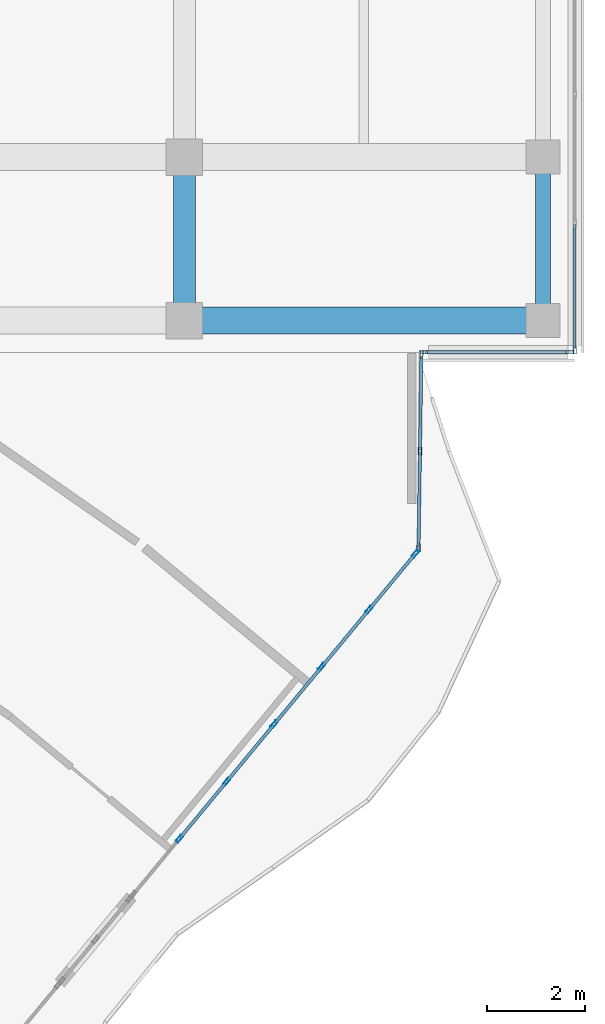
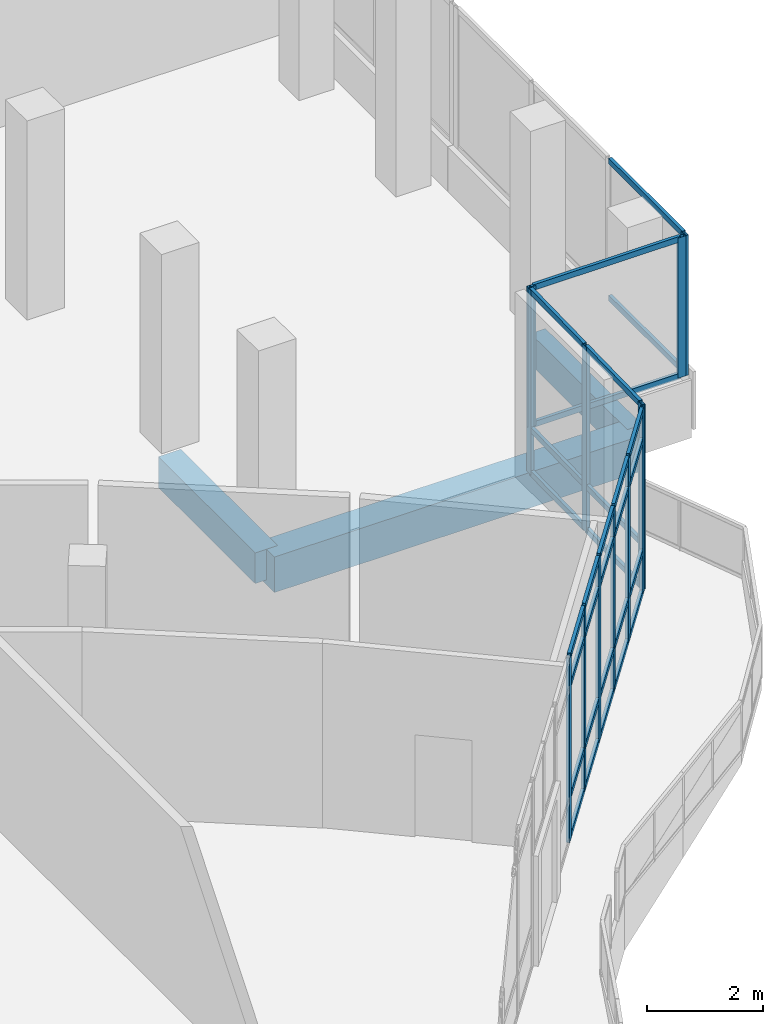
# One storey, part 128 of 184: 42 members, 3 beams, 4 elements without a shape of their own.
"""IFC4 building model written with IfcOpenShell, lengths in metres."""

from ifc_helpers import new_model, si_unit, direction, frame, origin, origin_2d, place, context, subcontext, project, spatial, rectangle, hollow_rectangle, extrude, material, material_profile, profile_set, type_object, element, aggregate, save


model = new_model("IFC4")

# Units and contexts
model_context = context("Model", 3, precision=1e-05, world=origin(), true_north=direction((0.0, 1.0)))
body_context = subcontext(model_context, "Body", "Model", "MODEL_VIEW")
ifc_project = project(units=[si_unit("LENGTHUNIT", "METRE"), si_unit("AREAUNIT", "SQUARE_METRE"), si_unit("VOLUMEUNIT", "CUBIC_METRE"), si_unit("PLANEANGLEUNIT", "RADIAN"), si_unit("MASSUNIT", "GRAM", prefix="KILO")], contexts=[model_context])

# Site, building, storey
site_placement = place(None, origin())
site = spatial("IfcSite", under=ifc_project, at=site_placement, CompositionType="ELEMENT")
building_placement = place(site_placement, origin())
building = spatial("IfcBuilding", under=site, at=building_placement, Name="Selatvlak General Hospital", CompositionType="ELEMENT")
storey_placement = place(building_placement, frame((0.0, 0.0, 15.0)))
storey = spatial("IfcBuildingStorey", under=building, at=storey_placement, Name="L03", CompositionType="ELEMENT", Elevation=15.0)

# Beams
ifc_material_1 = material(Name="Concrete C40/50", Category="concrete")
ifc_material_profile_1 = material_profile(ifc_material_1, rectangle(XDim=0.550048828125, YDim=0.75, at=origin_2d()), Name="RC-BM 550x750")
ifc_profile_set_1 = profile_set([ifc_material_profile_1], Name="Concrete C40/50")
beam_type_1 = type_object("IfcBeamType", Name="BM-G02", PredefinedType="BEAM", material=ifc_profile_set_1)
beam_1_placement = place(storey_placement, frame((174.0, 64.64990234375, -0.715087890625), z_axis=(1.0, 0.0, 0.0), x_axis=(0.0, 1.0, 0.0)))
element("IfcBeam", 1, at=beam_1_placement, inside=storey, type_object=beam_type_1, Name="Beam BMR-L03-1156", PredefinedType="BEAM", context=body_context, shape_type="SweptSolid", body=[
    extrude(rectangle(XDim=0.550048828125, YDim=0.75, at=origin_2d()), origin(), (0.0, 0.0, 1.0), 7.35009765625),
])
ifc_material_profile_2 = material_profile(ifc_material_1, rectangle(XDim=0.449951171875, YDim=0.64990234375, at=origin_2d()), Name="RC-BM 450x650")
ifc_profile_set_2 = profile_set([ifc_material_profile_2], Name="Concrete C40/50")
beam_type_2 = type_object("IfcBeamType", Name="BM-G04", PredefinedType="BEAM", material=ifc_profile_set_2)
beam_2_placement = place(storey_placement, frame((174.0, 64.64990234375, -0.6650390625), z_axis=(0.0, 1.0, 0.0), x_axis=(-1.0, 0.0, 0.0)))
element("IfcBeam", 2, at=beam_2_placement, inside=storey, type_object=beam_type_2, Name="Beam BMR-L03-1409", PredefinedType="BEAM", context=body_context, shape_type="SweptSolid", body=[
    extrude(rectangle(XDim=0.449951171875, YDim=0.64990234375, at=origin_2d()), origin(), (0.0, 0.0, 1.0), 3.35009765625),
])
ifc_material_profile_3 = material_profile(ifc_material_1, rectangle(XDim=0.300048828125, YDim=0.64990234375, at=origin_2d()), Name="RC-SP 300x650")
ifc_profile_set_3 = profile_set([ifc_material_profile_3], Name="Concrete C40/50")
beam_type_3 = type_object("IfcBeamType", Name="BM-SP1", PredefinedType="SPANDREL", material=ifc_profile_set_3)
beam_3_placement = place(storey_placement, frame((181.35009765625, 64.64990234375, -0.6650390625), z_axis=(0.0, 1.0, 0.0), x_axis=(-1.0, 0.0, 0.0)))
element("IfcBeam", 3, at=beam_3_placement, inside=storey, type_object=beam_type_3, Name="Beam BMR-L03-1419", PredefinedType="SPANDREL", context=body_context, shape_type="SweptSolid", body=[
    extrude(rectangle(XDim=0.300048828125, YDim=0.64990234375, at=origin_2d()), origin(), (0.0, 0.0, 1.0), 3.35009765625),
])

# Curtain wall, member
ifc_material_2 = material(Name="Solar-control Low-E double glazing", Category="glass")
curtain_wall_type_1 = type_object("IfcCurtainWallType", Name="CW-CW-01", PredefinedType="USERDEFINED", material=ifc_material_2)
curtain_wall_1_placement = place(storey_placement, origin())
curtain_wall_1 = element("IfcCurtainWall", 4, at=curtain_wall_1_placement, inside=storey, type_object=curtain_wall_type_1, Name="Glazed facade curtain wall CW-L03-0390", ObjectType="UNITISED CURTAIN WALL", PredefinedType="USERDEFINED")
ifc_material_3 = material(Name="Dark anodised aluminium mullion", Category="aluminium")
ifc_material_profile_4 = material_profile(ifc_material_3, hollow_rectangle(XDim=0.06494140625, YDim=0.159912109375, WallThickness=0.00390625, at=origin_2d()), Name="AL-MUL 65x160x4")
ifc_profile_set_4 = profile_set([ifc_material_profile_4], Name="Dark anodised aluminium mullion")
member_type_1 = type_object("IfcMemberType", Name="CWM-01", PredefinedType="MULLION", material=ifc_profile_set_4)
member_1_placement = place(storey_placement, frame((182.0, 64.048583984375, 0.93994140625), z_axis=(0.0, 0.0, 1.0), x_axis=(1.0, 0.0, 0.0)))
member_1 = element("IfcMember", 5, at=member_1_placement, type_object=member_type_1, Name="CW-01 mullion 4", PredefinedType="MULLION", context=body_context, shape_type="SweptSolid", body=[
    extrude(hollow_rectangle(XDim=0.06494140625, YDim=0.159912109375, WallThickness=0.00390625, at=origin_2d()), origin(), (0.0, 0.0, 1.0), 2.955078125),
])

# Curtain wall, members
curtain_wall_type_2 = type_object("IfcCurtainWallType", Name="CW-CW-03", PredefinedType="USERDEFINED", material=ifc_material_2)
curtain_wall_2_placement = place(storey_placement, origin())
curtain_wall_2 = element("IfcCurtainWall", 6, at=curtain_wall_2_placement, inside=storey, type_object=curtain_wall_type_2, Name="Glazed facade curtain wall CW-L03-0391", ObjectType="UNITISED CURTAIN WALL", PredefinedType="USERDEFINED")
member_2_placement = place(storey_placement, frame((181.902587890625, 64.0009765625, 0.93994140625), z_axis=(0.0, 0.0, 1.0), x_axis=(0.000326797363, -0.999999946602, 0.0)))
member_2 = element("IfcMember", 7, at=member_2_placement, type_object=member_type_1, Name="CW-03 mullion 1", PredefinedType="MULLION", context=body_context, shape_type="SweptSolid", body=[
    extrude(hollow_rectangle(XDim=0.06494140625, YDim=0.159912109375, WallThickness=0.00390625, at=origin_2d()), origin(), (0.0, 0.0, 1.0), 2.955078125),
])
member_3_placement = place(storey_placement, frame((178.907470703125, 64.0, 0.93994140625), z_axis=(0.0, 0.0, 1.0), x_axis=(0.000326797363, -0.999999946602, 0.0)))
member_3 = element("IfcMember", 8, at=member_3_placement, type_object=member_type_1, Name="CW-03 mullion 2", PredefinedType="MULLION", context=body_context, shape_type="SweptSolid", body=[
    extrude(hollow_rectangle(XDim=0.06494140625, YDim=0.159912109375, WallThickness=0.00390625, at=origin_2d()), origin(), (0.0, 0.0, 1.0), 2.955078125),
])

curtain_wall_type_3 = type_object("IfcCurtainWallType", Name="CW-CW-02", PredefinedType="USERDEFINED", material=ifc_material_2)
curtain_wall_3_placement = place(storey_placement, origin())
curtain_wall_3 = element("IfcCurtainWall", 9, at=curtain_wall_3_placement, inside=storey, type_object=curtain_wall_type_3, Name="Glazed facade curtain wall CW-L03-0392", ObjectType="UNITISED CURTAIN WALL", PredefinedType="USERDEFINED")
member_4_placement = place(storey_placement, frame((178.859619140625, 63.952392578125, 0.0), z_axis=(0.0, 0.0, 1.0), x_axis=(0.999888635224, -0.014923710969, 0.0)))
member_4 = element("IfcMember", 10, at=member_4_placement, type_object=member_type_1, Name="CW-02 mullion 1", PredefinedType="MULLION", context=body_context, shape_type="SweptSolid", body=[
    extrude(hollow_rectangle(XDim=0.06494140625, YDim=0.159912109375, WallThickness=0.00390625, at=origin_2d()), origin(), (0.0, 0.0, 1.0), 3.89501953125),
])
member_5_placement = place(storey_placement, frame((178.830078125, 61.97509765625, 0.0), z_axis=(0.0, 0.0, 1.0), x_axis=(0.999888635224, -0.014923710969, 0.0)))
member_5 = element("IfcMember", 11, at=member_5_placement, type_object=member_type_1, Name="CW-02 mullion 2", PredefinedType="MULLION", context=body_context, shape_type="SweptSolid", body=[
    extrude(hollow_rectangle(XDim=0.06494140625, YDim=0.159912109375, WallThickness=0.00390625, at=origin_2d()), origin(), (0.0, 0.0, 1.0), 3.89501953125),
])
member_6_placement = place(storey_placement, frame((178.800537109375, 59.99755859375, 0.0), z_axis=(0.0, 0.0, 1.0), x_axis=(0.999888635224, -0.014923710969, 0.0)))
member_6 = element("IfcMember", 12, at=member_6_placement, type_object=member_type_1, Name="CW-02 mullion 3", PredefinedType="MULLION", context=body_context, shape_type="SweptSolid", body=[
    extrude(hollow_rectangle(XDim=0.06494140625, YDim=0.159912109375, WallThickness=0.00390625, at=origin_2d()), origin(), (0.0, 0.0, 1.0), 3.89501953125),
])

curtain_wall_4_placement = place(storey_placement, origin())
curtain_wall_4 = element("IfcCurtainWall", 13, at=curtain_wall_4_placement, inside=storey, type_object=curtain_wall_type_1, Name="Glazed facade curtain wall CW-L03-0394", ObjectType="UNITISED CURTAIN WALL", PredefinedType="USERDEFINED")
member_7_placement = place(storey_placement, frame((178.7373046875, 59.8740234375, 0.0), z_axis=(0.0, 0.0, 1.0), x_axis=(0.770251713592, -0.637739992245, 0.0)))
member_7 = element("IfcMember", 14, at=member_7_placement, type_object=member_type_1, Name="CW-01 mullion 1", PredefinedType="MULLION", context=body_context, shape_type="SweptSolid", body=[
    extrude(hollow_rectangle(XDim=0.06494140625, YDim=0.159912109375, WallThickness=0.00390625, at=origin_2d()), origin(), (0.0, 0.0, 1.0), 3.89501953125),
])
member_8_placement = place(storey_placement, frame((177.785888671875, 58.724853515625, 0.0), z_axis=(0.0, 0.0, 1.0), x_axis=(0.770251713592, -0.637739992245, 0.0)))
member_8 = element("IfcMember", 15, at=member_8_placement, type_object=member_type_1, Name="CW-01 mullion 2", PredefinedType="MULLION", context=body_context, shape_type="SweptSolid", body=[
    extrude(hollow_rectangle(XDim=0.06494140625, YDim=0.159912109375, WallThickness=0.00390625, at=origin_2d()), origin(), (0.0, 0.0, 1.0), 3.89501953125),
])
member_9_placement = place(storey_placement, frame((176.813720703125, 57.55078125, 0.0), z_axis=(0.0, 0.0, 1.0), x_axis=(0.770251713592, -0.637739992245, 0.0)))
member_9 = element("IfcMember", 16, at=member_9_placement, type_object=member_type_1, Name="CW-01 mullion 3", PredefinedType="MULLION", context=body_context, shape_type="SweptSolid", body=[
    extrude(hollow_rectangle(XDim=0.06494140625, YDim=0.159912109375, WallThickness=0.00390625, at=origin_2d()), origin(), (0.0, 0.0, 1.0), 3.89501953125),
])
member_10_placement = place(storey_placement, frame((175.841552734375, 56.37646484375, 0.0), z_axis=(0.0, 0.0, 1.0), x_axis=(0.770251713592, -0.637739992245, 0.0)))
member_10 = element("IfcMember", 17, at=member_10_placement, type_object=member_type_1, Name="CW-01 mullion 4", PredefinedType="MULLION", context=body_context, shape_type="SweptSolid", body=[
    extrude(hollow_rectangle(XDim=0.06494140625, YDim=0.159912109375, WallThickness=0.00390625, at=origin_2d()), origin(), (0.0, 0.0, 1.0), 3.89501953125),
])
member_11_placement = place(storey_placement, frame((174.869384765625, 55.202392578125, 0.0), z_axis=(0.0, 0.0, 1.0), x_axis=(0.770251713592, -0.637739992245, 0.0)))
member_11 = element("IfcMember", 18, at=member_11_placement, type_object=member_type_1, Name="CW-01 mullion 5", PredefinedType="MULLION", context=body_context, shape_type="SweptSolid", body=[
    extrude(hollow_rectangle(XDim=0.06494140625, YDim=0.159912109375, WallThickness=0.00390625, at=origin_2d()), origin(), (0.0, 0.0, 1.0), 3.89501953125),
])
member_12_placement = place(storey_placement, frame((173.897216796875, 54.028076171875, 0.0), z_axis=(0.0, 0.0, 1.0), x_axis=(0.770251713592, -0.637739992245, 0.0)))
member_12 = element("IfcMember", 19, at=member_12_placement, type_object=member_type_1, Name="CW-01 mullion 6", PredefinedType="MULLION", context=body_context, shape_type="SweptSolid", body=[
    extrude(hollow_rectangle(XDim=0.06494140625, YDim=0.159912109375, WallThickness=0.00390625, at=origin_2d()), origin(), (0.0, 0.0, 1.0), 3.89501953125),
])

# Member
ifc_material_profile_5 = material_profile(ifc_material_3, hollow_rectangle(XDim=0.06494140625, YDim=0.1201171875, WallThickness=0.00390625, at=origin_2d()), Name="AL-TRN 65x120x4")
ifc_profile_set_5 = profile_set([ifc_material_profile_5], Name="Dark anodised aluminium mullion")
member_type_2 = type_object("IfcMemberType", Name="CWT-01", PredefinedType="USERDEFINED", material=ifc_profile_set_5)
member_13_placement = place(storey_placement, frame((182.0, 66.62353515625, 0.972412109375), z_axis=(0.0, -1.0, 0.0), x_axis=(1.0, 0.0, 0.0)))
member_13 = element("IfcMember", 20, at=member_13_placement, type_object=member_type_2, Name="CW-01 transom 3.1", ObjectType="TRANSOM", PredefinedType="USERDEFINED", context=body_context, shape_type="SweptSolid", body=[
    extrude(hollow_rectangle(XDim=0.06494140625, YDim=0.1201171875, WallThickness=0.00390625, at=origin_2d()), origin(), (0.0, 0.0, 1.0), 2.54248046875),
])

member_14_placement = place(storey_placement, frame((182.0, 66.62353515625, 3.862548828125), z_axis=(0.0, -1.0, 0.0), x_axis=(1.0, 0.0, 0.0)))
member_14 = element("IfcMember", 21, at=member_14_placement, type_object=member_type_2, Name="CW-01 transom 3.2", ObjectType="TRANSOM", PredefinedType="USERDEFINED", context=body_context, shape_type="SweptSolid", body=[
    extrude(hollow_rectangle(XDim=0.06494140625, YDim=0.1201171875, WallThickness=0.00390625, at=origin_2d()), origin(), (0.0, 0.0, 1.0), 2.54248046875),
])

aggregate(curtain_wall_1, [member_1, member_13, member_14])

member_15_placement = place(storey_placement, frame((181.8701171875, 64.0009765625, 0.972412109375), z_axis=(-0.999999944463, -0.000333277769, 0.0), x_axis=(0.000333277769, -0.999999944463, 0.0)))
member_15 = element("IfcMember", 22, at=member_15_placement, type_object=member_type_2, Name="CW-03 transom 1.1", ObjectType="TRANSOM", PredefinedType="USERDEFINED", context=body_context, shape_type="SweptSolid", body=[
    extrude(hollow_rectangle(XDim=0.06494140625, YDim=0.1201171875, WallThickness=0.00390625, at=origin_2d()), origin(), (0.0, 0.0, 1.0), 2.93017578125),
])

member_16_placement = place(storey_placement, frame((181.8701171875, 64.0009765625, 3.862548828125), z_axis=(-0.999999944463, -0.000333277769, 0.0), x_axis=(0.000333277769, -0.999999944463, 0.0)))
member_16 = element("IfcMember", 23, at=member_16_placement, type_object=member_type_2, Name="CW-03 transom 1.2", ObjectType="TRANSOM", PredefinedType="USERDEFINED", context=body_context, shape_type="SweptSolid", body=[
    extrude(hollow_rectangle(XDim=0.06494140625, YDim=0.1201171875, WallThickness=0.00390625, at=origin_2d()), origin(), (0.0, 0.0, 1.0), 2.93017578125),
])

aggregate(curtain_wall_2, [member_2, member_3, member_15, member_16])

member_17_placement = place(storey_placement, frame((178.859130859375, 63.919921875, 0.032470703125), z_axis=(-0.014935139839, -0.999888464579, 0.0), x_axis=(0.999888464579, -0.014935139839, 0.0)))
member_17 = element("IfcMember", 24, at=member_17_placement, type_object=member_type_2, Name="CW-02 transom 1.1", ObjectType="TRANSOM", PredefinedType="USERDEFINED", context=body_context, shape_type="SweptSolid", body=[
    extrude(hollow_rectangle(XDim=0.06494140625, YDim=0.1201171875, WallThickness=0.00390625, at=origin_2d()), origin(), (0.0, 0.0, 1.0), 1.91259765625),
])

member_18_placement = place(storey_placement, frame((178.859130859375, 63.919921875, 0.949951171875), z_axis=(-0.014935139839, -0.999888464579, 0.0), x_axis=(0.999888464579, -0.014935139839, 0.0)))
member_18 = element("IfcMember", 25, at=member_18_placement, type_object=member_type_2, Name="CW-02 transom 1.2", ObjectType="TRANSOM", PredefinedType="USERDEFINED", context=body_context, shape_type="SweptSolid", body=[
    extrude(hollow_rectangle(XDim=0.06494140625, YDim=0.1201171875, WallThickness=0.00390625, at=origin_2d()), origin(), (0.0, 0.0, 1.0), 1.91259765625),
])

member_19_placement = place(storey_placement, frame((178.859130859375, 63.919921875, 3.862548828125), z_axis=(-0.014935139839, -0.999888464579, 0.0), x_axis=(0.999888464579, -0.014935139839, 0.0)))
member_19 = element("IfcMember", 26, at=member_19_placement, type_object=member_type_2, Name="CW-02 transom 1.3", ObjectType="TRANSOM", PredefinedType="USERDEFINED", context=body_context, shape_type="SweptSolid", body=[
    extrude(hollow_rectangle(XDim=0.06494140625, YDim=0.1201171875, WallThickness=0.00390625, at=origin_2d()), origin(), (0.0, 0.0, 1.0), 1.91259765625),
])

member_20_placement = place(storey_placement, frame((178.82958984375, 61.9423828125, 0.032470703125), z_axis=(-0.014935139839, -0.999888464579, 0.0), x_axis=(0.999888464579, -0.014935139839, 0.0)))
member_20 = element("IfcMember", 27, at=member_20_placement, type_object=member_type_2, Name="CW-02 transom 2.1", ObjectType="TRANSOM", PredefinedType="USERDEFINED", context=body_context, shape_type="SweptSolid", body=[
    extrude(hollow_rectangle(XDim=0.06494140625, YDim=0.1201171875, WallThickness=0.00390625, at=origin_2d()), origin(), (0.0, 0.0, 1.0), 1.91259765625),
])

member_21_placement = place(storey_placement, frame((178.82958984375, 61.9423828125, 0.949951171875), z_axis=(-0.014935139839, -0.999888464579, 0.0), x_axis=(0.999888464579, -0.014935139839, 0.0)))
member_21 = element("IfcMember", 28, at=member_21_placement, type_object=member_type_2, Name="CW-02 transom 2.2", ObjectType="TRANSOM", PredefinedType="USERDEFINED", context=body_context, shape_type="SweptSolid", body=[
    extrude(hollow_rectangle(XDim=0.06494140625, YDim=0.1201171875, WallThickness=0.00390625, at=origin_2d()), origin(), (0.0, 0.0, 1.0), 1.91259765625),
])

member_22_placement = place(storey_placement, frame((178.82958984375, 61.9423828125, 3.862548828125), z_axis=(-0.014935139839, -0.999888464579, 0.0), x_axis=(0.999888464579, -0.014935139839, 0.0)))
member_22 = element("IfcMember", 29, at=member_22_placement, type_object=member_type_2, Name="CW-02 transom 2.3", ObjectType="TRANSOM", PredefinedType="USERDEFINED", context=body_context, shape_type="SweptSolid", body=[
    extrude(hollow_rectangle(XDim=0.06494140625, YDim=0.1201171875, WallThickness=0.00390625, at=origin_2d()), origin(), (0.0, 0.0, 1.0), 1.91259765625),
])

aggregate(curtain_wall_3, [member_4, member_5, member_6, member_17, member_18, member_19, member_20, member_21, member_22])

member_23_placement = place(storey_placement, frame((178.716552734375, 59.848876953125, 0.032470703125), z_axis=(-0.637690265355, -0.770292882916, 0.0), x_axis=(0.770292882916, -0.637690265355, 0.0)))
member_23 = element("IfcMember", 30, at=member_23_placement, type_object=member_type_2, Name="CW-01 transom 1.1", ObjectType="TRANSOM", PredefinedType="USERDEFINED", context=body_context, shape_type="SweptSolid", body=[
    extrude(hollow_rectangle(XDim=0.06494140625, YDim=0.1201171875, WallThickness=0.00390625, at=origin_2d()), origin(), (0.0, 0.0, 1.0), 1.427001953125),
])

member_24_placement = place(storey_placement, frame((178.716552734375, 59.848876953125, 0.89990234375), z_axis=(-0.637690265355, -0.770292882916, 0.0), x_axis=(0.770292882916, -0.637690265355, 0.0)))
member_24 = element("IfcMember", 31, at=member_24_placement, type_object=member_type_2, Name="CW-01 transom 1.2", ObjectType="TRANSOM", PredefinedType="USERDEFINED", context=body_context, shape_type="SweptSolid", body=[
    extrude(hollow_rectangle(XDim=0.06494140625, YDim=0.1201171875, WallThickness=0.00390625, at=origin_2d()), origin(), (0.0, 0.0, 1.0), 1.427001953125),
])

member_25_placement = place(storey_placement, frame((178.716552734375, 59.848876953125, 3.2451171875), z_axis=(-0.637690265355, -0.770292882916, 0.0), x_axis=(0.770292882916, -0.637690265355, 0.0)))
member_25 = element("IfcMember", 32, at=member_25_placement, type_object=member_type_2, Name="CW-01 transom 1.3", ObjectType="TRANSOM", PredefinedType="USERDEFINED", context=body_context, shape_type="SweptSolid", body=[
    extrude(hollow_rectangle(XDim=0.06494140625, YDim=0.1201171875, WallThickness=0.00390625, at=origin_2d()), origin(), (0.0, 0.0, 1.0), 1.427001953125),
])

member_26_placement = place(storey_placement, frame((178.716552734375, 59.848876953125, 3.862548828125), z_axis=(-0.637690265355, -0.770292882916, 0.0), x_axis=(0.770292882916, -0.637690265355, 0.0)))
member_26 = element("IfcMember", 33, at=member_26_placement, type_object=member_type_2, Name="CW-01 transom 1.4", ObjectType="TRANSOM", PredefinedType="USERDEFINED", context=body_context, shape_type="SweptSolid", body=[
    extrude(hollow_rectangle(XDim=0.06494140625, YDim=0.1201171875, WallThickness=0.00390625, at=origin_2d()), origin(), (0.0, 0.0, 1.0), 1.427001953125),
])

member_27_placement = place(storey_placement, frame((177.76513671875, 58.69970703125, 0.032470703125), z_axis=(-0.637745740525, -0.770246954192, 0.0), x_axis=(0.770246954192, -0.637745740525, 0.0)))
member_27 = element("IfcMember", 34, at=member_27_placement, type_object=member_type_2, Name="CW-01 transom 2.1", ObjectType="TRANSOM", PredefinedType="USERDEFINED", context=body_context, shape_type="SweptSolid", body=[
    extrude(hollow_rectangle(XDim=0.06494140625, YDim=0.1201171875, WallThickness=0.00390625, at=origin_2d()), origin(), (0.0, 0.0, 1.0), 1.459228515625),
])

member_28_placement = place(storey_placement, frame((177.76513671875, 58.69970703125, 0.89990234375), z_axis=(-0.637745740525, -0.770246954192, 0.0), x_axis=(0.770246954192, -0.637745740525, 0.0)))
member_28 = element("IfcMember", 35, at=member_28_placement, type_object=member_type_2, Name="CW-01 transom 2.2", ObjectType="TRANSOM", PredefinedType="USERDEFINED", context=body_context, shape_type="SweptSolid", body=[
    extrude(hollow_rectangle(XDim=0.06494140625, YDim=0.1201171875, WallThickness=0.00390625, at=origin_2d()), origin(), (0.0, 0.0, 1.0), 1.459228515625),
])

member_29_placement = place(storey_placement, frame((177.76513671875, 58.69970703125, 3.2451171875), z_axis=(-0.637745740525, -0.770246954192, 0.0), x_axis=(0.770246954192, -0.637745740525, 0.0)))
member_29 = element("IfcMember", 36, at=member_29_placement, type_object=member_type_2, Name="CW-01 transom 2.3", ObjectType="TRANSOM", PredefinedType="USERDEFINED", context=body_context, shape_type="SweptSolid", body=[
    extrude(hollow_rectangle(XDim=0.06494140625, YDim=0.1201171875, WallThickness=0.00390625, at=origin_2d()), origin(), (0.0, 0.0, 1.0), 1.459228515625),
])

member_30_placement = place(storey_placement, frame((177.76513671875, 58.69970703125, 3.862548828125), z_axis=(-0.637745740525, -0.770246954192, 0.0), x_axis=(0.770246954192, -0.637745740525, 0.0)))
member_30 = element("IfcMember", 37, at=member_30_placement, type_object=member_type_2, Name="CW-01 transom 2.4", ObjectType="TRANSOM", PredefinedType="USERDEFINED", context=body_context, shape_type="SweptSolid", body=[
    extrude(hollow_rectangle(XDim=0.06494140625, YDim=0.1201171875, WallThickness=0.00390625, at=origin_2d()), origin(), (0.0, 0.0, 1.0), 1.459228515625),
])

member_31_placement = place(storey_placement, frame((176.79296875, 57.525634765625, 0.032470703125), z_axis=(-0.637745740525, -0.770246954192, 0.0), x_axis=(0.770246954192, -0.637745740525, 0.0)))
member_31 = element("IfcMember", 38, at=member_31_placement, type_object=member_type_2, Name="CW-01 transom 3.1", ObjectType="TRANSOM", PredefinedType="USERDEFINED", context=body_context, shape_type="SweptSolid", body=[
    extrude(hollow_rectangle(XDim=0.06494140625, YDim=0.1201171875, WallThickness=0.00390625, at=origin_2d()), origin(), (0.0, 0.0, 1.0), 1.459228515625),
])

member_32_placement = place(storey_placement, frame((176.79296875, 57.525634765625, 0.89990234375), z_axis=(-0.637745740525, -0.770246954192, 0.0), x_axis=(0.770246954192, -0.637745740525, 0.0)))
member_32 = element("IfcMember", 39, at=member_32_placement, type_object=member_type_2, Name="CW-01 transom 3.2", ObjectType="TRANSOM", PredefinedType="USERDEFINED", context=body_context, shape_type="SweptSolid", body=[
    extrude(hollow_rectangle(XDim=0.06494140625, YDim=0.1201171875, WallThickness=0.00390625, at=origin_2d()), origin(), (0.0, 0.0, 1.0), 1.459228515625),
])

member_33_placement = place(storey_placement, frame((176.79296875, 57.525634765625, 3.2451171875), z_axis=(-0.637745740525, -0.770246954192, 0.0), x_axis=(0.770246954192, -0.637745740525, 0.0)))
member_33 = element("IfcMember", 40, at=member_33_placement, type_object=member_type_2, Name="CW-01 transom 3.3", ObjectType="TRANSOM", PredefinedType="USERDEFINED", context=body_context, shape_type="SweptSolid", body=[
    extrude(hollow_rectangle(XDim=0.06494140625, YDim=0.1201171875, WallThickness=0.00390625, at=origin_2d()), origin(), (0.0, 0.0, 1.0), 1.459228515625),
])

member_34_placement = place(storey_placement, frame((176.79296875, 57.525634765625, 3.862548828125), z_axis=(-0.637745740525, -0.770246954192, 0.0), x_axis=(0.770246954192, -0.637745740525, 0.0)))
member_34 = element("IfcMember", 41, at=member_34_placement, type_object=member_type_2, Name="CW-01 transom 3.4", ObjectType="TRANSOM", PredefinedType="USERDEFINED", context=body_context, shape_type="SweptSolid", body=[
    extrude(hollow_rectangle(XDim=0.06494140625, YDim=0.1201171875, WallThickness=0.00390625, at=origin_2d()), origin(), (0.0, 0.0, 1.0), 1.459228515625),
])

member_35_placement = place(storey_placement, frame((175.82080078125, 56.3515625, 0.032470703125), z_axis=(-0.637663566332, -0.770314985037, 0.0), x_axis=(0.770314985037, -0.637663566332, 0.0)))
member_35 = element("IfcMember", 42, at=member_35_placement, type_object=member_type_2, Name="CW-01 transom 4.1", ObjectType="TRANSOM", PredefinedType="USERDEFINED", context=body_context, shape_type="SweptSolid", body=[
    extrude(hollow_rectangle(XDim=0.06494140625, YDim=0.1201171875, WallThickness=0.00390625, at=origin_2d()), origin(), (0.0, 0.0, 1.0), 1.45947265625),
])

member_36_placement = place(storey_placement, frame((175.82080078125, 56.3515625, 0.89990234375), z_axis=(-0.637663566332, -0.770314985037, 0.0), x_axis=(0.770314985037, -0.637663566332, 0.0)))
member_36 = element("IfcMember", 43, at=member_36_placement, type_object=member_type_2, Name="CW-01 transom 4.2", ObjectType="TRANSOM", PredefinedType="USERDEFINED", context=body_context, shape_type="SweptSolid", body=[
    extrude(hollow_rectangle(XDim=0.06494140625, YDim=0.1201171875, WallThickness=0.00390625, at=origin_2d()), origin(), (0.0, 0.0, 1.0), 1.45947265625),
])

member_37_placement = place(storey_placement, frame((175.82080078125, 56.3515625, 3.2451171875), z_axis=(-0.637663566332, -0.770314985037, 0.0), x_axis=(0.770314985037, -0.637663566332, 0.0)))
member_37 = element("IfcMember", 44, at=member_37_placement, type_object=member_type_2, Name="CW-01 transom 4.3", ObjectType="TRANSOM", PredefinedType="USERDEFINED", context=body_context, shape_type="SweptSolid", body=[
    extrude(hollow_rectangle(XDim=0.06494140625, YDim=0.1201171875, WallThickness=0.00390625, at=origin_2d()), origin(), (0.0, 0.0, 1.0), 1.45947265625),
])

member_38_placement = place(storey_placement, frame((175.82080078125, 56.3515625, 3.862548828125), z_axis=(-0.637663566332, -0.770314985037, 0.0), x_axis=(0.770314985037, -0.637663566332, 0.0)))
member_38 = element("IfcMember", 45, at=member_38_placement, type_object=member_type_2, Name="CW-01 transom 4.4", ObjectType="TRANSOM", PredefinedType="USERDEFINED", context=body_context, shape_type="SweptSolid", body=[
    extrude(hollow_rectangle(XDim=0.06494140625, YDim=0.1201171875, WallThickness=0.00390625, at=origin_2d()), origin(), (0.0, 0.0, 1.0), 1.45947265625),
])

member_39_placement = place(storey_placement, frame((174.8486328125, 55.17724609375, 0.032470703125), z_axis=(-0.637745740525, -0.770246954192, 0.0), x_axis=(0.770246954192, -0.637745740525, 0.0)))
member_39 = element("IfcMember", 46, at=member_39_placement, type_object=member_type_2, Name="CW-01 transom 5.1", ObjectType="TRANSOM", PredefinedType="USERDEFINED", context=body_context, shape_type="SweptSolid", body=[
    extrude(hollow_rectangle(XDim=0.06494140625, YDim=0.1201171875, WallThickness=0.00390625, at=origin_2d()), origin(), (0.0, 0.0, 1.0), 1.459228515625),
])

member_40_placement = place(storey_placement, frame((174.8486328125, 55.17724609375, 0.89990234375), z_axis=(-0.637745740525, -0.770246954192, 0.0), x_axis=(0.770246954192, -0.637745740525, 0.0)))
member_40 = element("IfcMember", 47, at=member_40_placement, type_object=member_type_2, Name="CW-01 transom 5.2", ObjectType="TRANSOM", PredefinedType="USERDEFINED", context=body_context, shape_type="SweptSolid", body=[
    extrude(hollow_rectangle(XDim=0.06494140625, YDim=0.1201171875, WallThickness=0.00390625, at=origin_2d()), origin(), (0.0, 0.0, 1.0), 1.459228515625),
])

member_41_placement = place(storey_placement, frame((174.8486328125, 55.17724609375, 3.2451171875), z_axis=(-0.637745740525, -0.770246954192, 0.0), x_axis=(0.770246954192, -0.637745740525, 0.0)))
member_41 = element("IfcMember", 48, at=member_41_placement, type_object=member_type_2, Name="CW-01 transom 5.3", ObjectType="TRANSOM", PredefinedType="USERDEFINED", context=body_context, shape_type="SweptSolid", body=[
    extrude(hollow_rectangle(XDim=0.06494140625, YDim=0.1201171875, WallThickness=0.00390625, at=origin_2d()), origin(), (0.0, 0.0, 1.0), 1.459228515625),
])

member_42_placement = place(storey_placement, frame((174.8486328125, 55.17724609375, 3.862548828125), z_axis=(-0.637745740525, -0.770246954192, 0.0), x_axis=(0.770246954192, -0.637745740525, 0.0)))
member_42 = element("IfcMember", 49, at=member_42_placement, type_object=member_type_2, Name="CW-01 transom 5.4", ObjectType="TRANSOM", PredefinedType="USERDEFINED", context=body_context, shape_type="SweptSolid", body=[
    extrude(hollow_rectangle(XDim=0.06494140625, YDim=0.1201171875, WallThickness=0.00390625, at=origin_2d()), origin(), (0.0, 0.0, 1.0), 1.459228515625),
])

aggregate(curtain_wall_4, [member_7, member_8, member_9, member_10, member_11, member_12, member_23, member_24, member_25, member_26, member_27, member_28, member_29, member_30, member_31, member_32, member_33, member_34, member_35, member_36, member_37, member_38, member_39, member_40, member_41, member_42])

save(model, "model.ifc")
